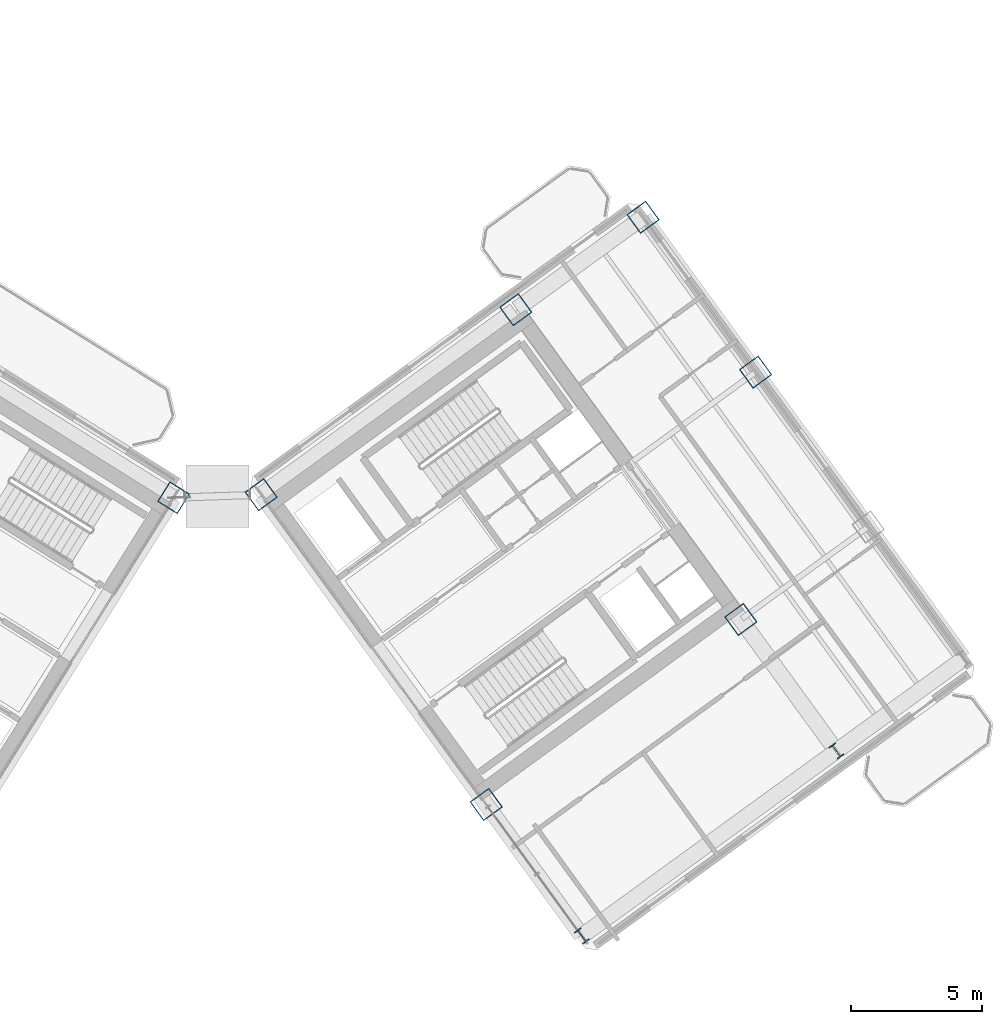
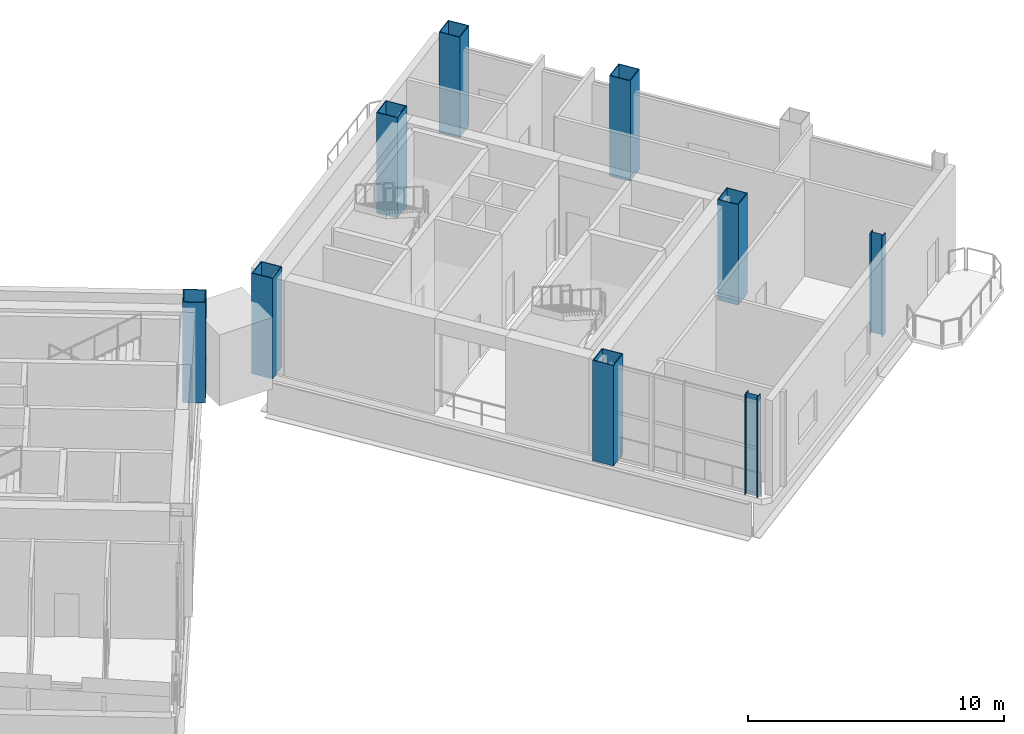
# One storey, part 2 of 22: 9 columns.
"""IFC4 building model written with IfcOpenShell, lengths in metres."""

from ifc_helpers import new_model, si_unit, direction, frame, origin, origin_2d, place, context, subcontext, project, spatial, hollow_rectangle, i_section, extrude, source, transform, mapped, material, material_profile, profile_set, type_object, element, save


model = new_model("IFC4")

# Units and contexts
model_context = context("Model", 3, precision=1e-05, world=origin(), true_north=direction((0.0, 1.0)))
body_context = subcontext(model_context, "Body", "Model", "MODEL_VIEW")
ifc_project = project(units=[si_unit("LENGTHUNIT", "METRE"), si_unit("AREAUNIT", "SQUARE_METRE"), si_unit("VOLUMEUNIT", "CUBIC_METRE"), si_unit("PLANEANGLEUNIT", "RADIAN"), si_unit("MASSUNIT", "GRAM", prefix="KILO")], contexts=[model_context])

# Site, building, storey
site_placement = place(None, origin())
site = spatial("IfcSite", under=ifc_project, at=site_placement, CompositionType="ELEMENT")
building_placement = place(site_placement, origin())
building = spatial("IfcBuilding", under=site, at=building_placement, Name="Tlacorven Tower", CompositionType="ELEMENT")
storey_placement = place(building_placement, frame((0.0, 0.0, 127.800048828125)))
storey = spatial("IfcBuildingStorey", under=building, at=storey_placement, Name="L32", CompositionType="ELEMENT", Elevation=127.800048828125)

# Columns
ifc_material = material(Name="Steel S460M", Category="steel")
ifc_material_profile_1 = material_profile(ifc_material, hollow_rectangle(XDim=0.89990234375, YDim=0.89990234375, WallThickness=0.035888671875, at=origin_2d()), Name="BOX 900X900X36")
ifc_profile_set_1 = profile_set([ifc_material_profile_1], Name="Steel S460M")
column_type_1 = type_object("IfcColumnType", Name="COL-TWR-S2", PredefinedType="COLUMN", material=ifc_profile_set_1)
shared_shape_1 = source(origin(), body_context, "Body", "SweptSolid", [
    extrude(hollow_rectangle(XDim=0.89990234375, YDim=0.89990234375, WallThickness=0.035888671875, at=origin_2d()), origin(), (0.0, 0.0, 1.0), 4.800048828125),
])
for number, where, z_axis, x_axis, name in (
    (1, (40.782958984375, 24.468505859375, 0.0), (0.0, 0.0, 1.0), (-0.848048096156, 0.529919264233, 0.0), "L32 column COL-L32-W1-1"),
    (2, (52.705322265625, 12.7734375, 0.0), (0.0, 0.0, 1.0), (0.809016994375, 0.587785252292, 0.0), "L32 column COL-L32-E1-2"),
    (3, (44.123779296875, 24.5849609375, 0.0), (0.0, 0.0, 1.0), (0.809016994375, 0.587785252292, 0.0), "L32 column COL-L32-E1-4"),
    (4, (62.41357421875, 19.826904296875, 0.0), (0.0, 0.0, 1.0), (0.809016994375, 0.587785252292, 0.0), "L32 column COL-L32-E3-2"),
    (5, (53.83203125, 31.638427734375, 0.0), (0.0, 0.0, 1.0), (0.809016994375, 0.587785252292, 0.0), "L32 column COL-L32-E3-4"),
    (6, (62.976806640625, 29.25927734375, 0.0), (0.0, 0.0, 1.0), (0.809016994375, 0.587785252292, 0.0), "L32 column COL-L32-E4-3"),
    (7, (58.68603515625, 35.165283203125, 0.0), (0.0, 0.0, 1.0), (0.809016994375, 0.587785252292, 0.0), "L32 column COL-L32-E4-4"),
):
    element("IfcColumn", number, at=place(storey_placement, frame(where, z_axis=z_axis, x_axis=x_axis)), inside=storey, type_object=column_type_1, Name=name, PredefinedType="COLUMN", context=body_context, shape_type="MappedRepresentation", body=[
        mapped(shared_shape_1, transform((0.0, 0.0, 0.0), scale=1.0)),
    ])
ifc_material_profile_2 = material_profile(ifc_material, i_section(OverallWidth=0.300048828125, OverallDepth=0.550048828125, WebThickness=0.014892578125, FlangeThickness=0.029052734375, at=origin_2d()), Name="HEB 550")
ifc_profile_set_2 = profile_set([ifc_material_profile_2], Name="Steel S460M")
column_type_2 = type_object("IfcColumnType", Name="COL-TWR-P2", PredefinedType="COLUMN", material=ifc_profile_set_2)
shared_shape_2 = source(origin(), body_context, "Body", "SweptSolid", [
    extrude(i_section(OverallWidth=0.300048828125, OverallDepth=0.550048828125, WebThickness=0.014892578125, FlangeThickness=0.029052734375, at=origin_2d()), origin(), (0.0, 0.0, 1.0), 4.800048828125),
])
for number, where, z_axis, x_axis, name in (
    (8, (56.349609375, 7.757568359375, 0.0), (0.0, 0.0, 1.0), (0.809016994375, 0.587785252292, 0.0), "L32 column COL-L32-E1-1"),
    (9, (66.057861328125, 14.81103515625, 0.0), (0.0, 0.0, 1.0), (0.809016994375, 0.587785252292, 0.0), "L32 column COL-L32-E3-1"),
):
    element("IfcColumn", number, at=place(storey_placement, frame(where, z_axis=z_axis, x_axis=x_axis)), inside=storey, type_object=column_type_2, Name=name, PredefinedType="COLUMN", context=body_context, shape_type="MappedRepresentation", body=[
        mapped(shared_shape_2, transform((0.0, 0.0, 0.0), scale=1.0)),
    ])

save(model, "model.ifc")
